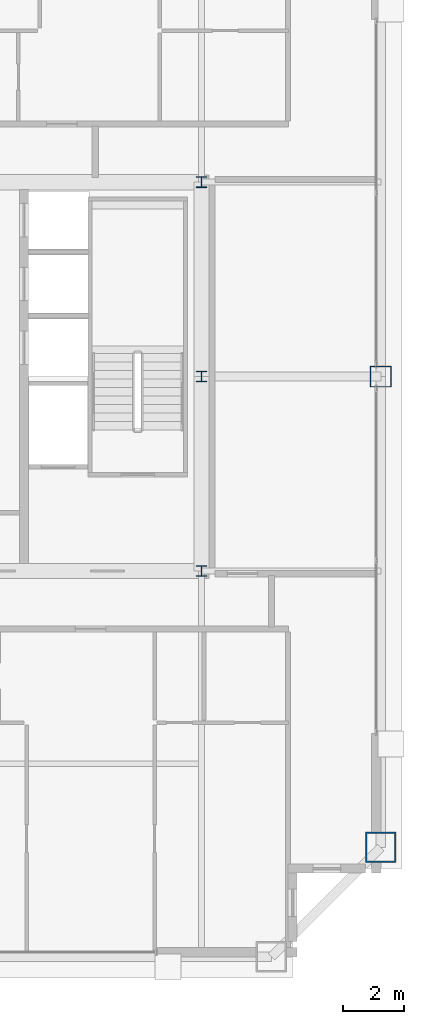
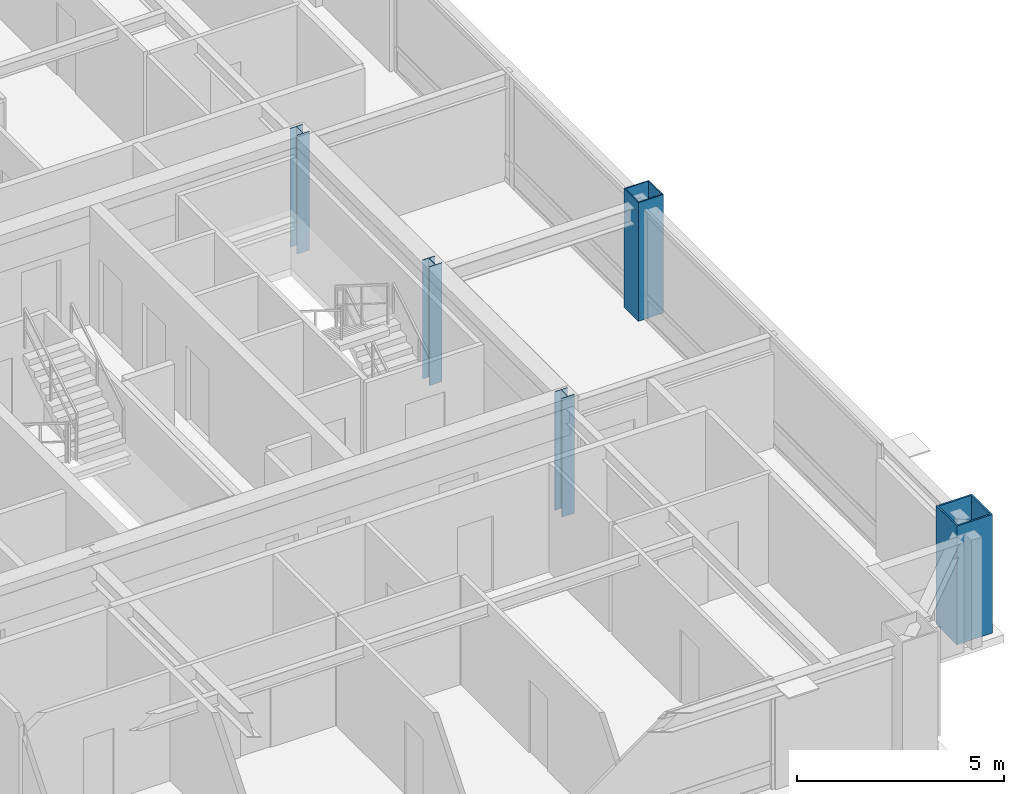
# One storey, part 2 of 35: 5 columns.
"""IFC4 building model written with IfcOpenShell, lengths in metres."""

from ifc_helpers import new_model, si_unit, direction, frame, origin, origin_2d, place, context, subcontext, project, spatial, hollow_rectangle, i_section, extrude, source, transform, mapped, material, material_profile, profile_set, type_object, element, save


model = new_model("IFC4")

# Units and contexts
model_context = context("Model", 3, precision=1e-05, world=origin(), true_north=direction((0.0, 1.0)))
body_context = subcontext(model_context, "Body", "Model", "MODEL_VIEW")
ifc_project = project(units=[si_unit("LENGTHUNIT", "METRE"), si_unit("AREAUNIT", "SQUARE_METRE"), si_unit("VOLUMEUNIT", "CUBIC_METRE"), si_unit("PLANEANGLEUNIT", "RADIAN"), si_unit("MASSUNIT", "GRAM", prefix="KILO"), si_unit("THERMODYNAMICTEMPERATUREUNIT", "KELVIN"), si_unit("POWERUNIT", "WATT")], contexts=[model_context])

# Site, building, storey
site_placement = place(None, origin())
site = spatial("IfcSite", under=ifc_project, at=site_placement, CompositionType="ELEMENT")
building_placement = place(site_placement, origin())
building = spatial("IfcBuilding", under=site, at=building_placement, Name="Yuzanri Waterfront Tower", CompositionType="ELEMENT")
storey_placement = place(building_placement, frame((0.0, 0.0, 303.10009765625)))
storey = spatial("IfcBuildingStorey", under=building, at=storey_placement, Name="L81", CompositionType="ELEMENT", Elevation=303.10009765625)

# Columns
ifc_material_1 = material(Name="Steel Q355B", Category="steel")
ifc_material_profile_1 = material_profile(ifc_material_1, hollow_rectangle(XDim=0.699951171875, YDim=0.699951171875, WallThickness=0.031982421875, at=origin_2d()), Name="RHS 700x700x32")
ifc_profile_set_1 = profile_set([ifc_material_profile_1], Name="Steel Q355B")
column_type_1 = type_object("IfcColumnType", Name="Frame Column Q355B RHS 700x700x32", PredefinedType="COLUMN", material=ifc_profile_set_1)
shared_shape_1 = source(origin(), body_context, "Body", "SweptSolid", [
    extrude(hollow_rectangle(XDim=0.699951171875, YDim=0.699951171875, WallThickness=0.031982421875, at=origin_2d()), origin(), (0.0, 0.0, 1.0), 3.5),
])
column_1_placement = place(storey_placement, frame((56.10009765625, 25.800048828125, 0.0), z_axis=(0.0, 0.0, 1.0), x_axis=(1.0, 0.0, 0.0)))
element("IfcColumn", 1, at=column_1_placement, inside=storey, type_object=column_type_1, Name="L81 Perimeter Frame Column E2", PredefinedType="COLUMN", context=body_context, shape_type="MappedRepresentation", body=[
    mapped(shared_shape_1, transform((0.0, 0.0, 0.0), scale=1.0)),
])
ifc_material_2 = material(Name="Steel Q355B", Category="steel")
ifc_material_profile_2 = material_profile(ifc_material_2, i_section(OverallWidth=0.35009765625, OverallDepth=0.35009765625, WebThickness=0.011962890625, FlangeThickness=0.01904296875, at=origin_2d()), Name="HW 350x350x12x19")
ifc_profile_set_2 = profile_set([ifc_material_profile_2], Name="Steel Q355B")
column_type_2 = type_object("IfcColumnType", Name="Core Post Q355B HW 350x350x12x19", PredefinedType="COLUMN", material=ifc_profile_set_2)
shared_shape_2 = source(origin(), body_context, "Body", "SweptSolid", [
    extrude(i_section(OverallWidth=0.35009765625, OverallDepth=0.35009765625, WebThickness=0.011962890625, FlangeThickness=0.01904296875, at=origin_2d()), origin(), (0.0, 0.0, 1.0), 3.5),
])
for number, where, z_axis, x_axis, name in (
    (2, (50.199951171875, 19.39990234375, 0.0), (0.0, 0.0, 1.0), (1.0, 0.0, 0.0), "L81 Core Boundary Column CP3"),
    (3, (50.199951171875, 25.800048828125, 0.0), (0.0, 0.0, 1.0), (1.0, 0.0, 0.0), "L81 Core Boundary Column CP5"),
    (4, (50.199951171875, 32.199951171875, 0.0), (0.0, 0.0, 1.0), (1.0, 0.0, 0.0), "L81 Core Boundary Column CP8"),
):
    element("IfcColumn", number, at=place(storey_placement, frame(where, z_axis=z_axis, x_axis=x_axis)), inside=storey, type_object=column_type_2, Name=name, PredefinedType="COLUMN", context=body_context, shape_type="MappedRepresentation", body=[
        mapped(shared_shape_2, transform((0.0, 0.0, 0.0), scale=1.0)),
    ])
ifc_material_3 = material(Name="Steel Q390GJC", Category="steel")
ifc_material_profile_3 = material_profile(ifc_material_3, hollow_rectangle(XDim=1.0, YDim=1.0, WallThickness=0.048095703125, at=origin_2d()), Name="RHS 1000x1000x48")
ifc_profile_set_3 = profile_set([ifc_material_profile_3], Name="Steel Q390GJC")
column_type_3 = type_object("IfcColumnType", Name="Mega Column Q390GJC RHS 1000x1000x48", PredefinedType="COLUMN", material=ifc_profile_set_3)
shared_shape_3 = source(origin(), body_context, "Body", "SweptSolid", [
    extrude(hollow_rectangle(XDim=1.0, YDim=1.0, WallThickness=0.048095703125, at=origin_2d()), origin(), (0.0, 0.0, 1.0), 3.5),
])
column_2_placement = place(storey_placement, frame((56.10009765625, 10.300048828125, 0.0), z_axis=(0.0, 0.0, 1.0), x_axis=(1.0, 0.0, 0.0)))
element("IfcColumn", 5, at=column_2_placement, inside=storey, type_object=column_type_3, Name="L81 Perimeter Mega Column E1", PredefinedType="COLUMN", context=body_context, shape_type="MappedRepresentation", body=[
    mapped(shared_shape_3, transform((0.0, 0.0, 0.0), scale=1.0)),
])

save(model, "model.ifc")
